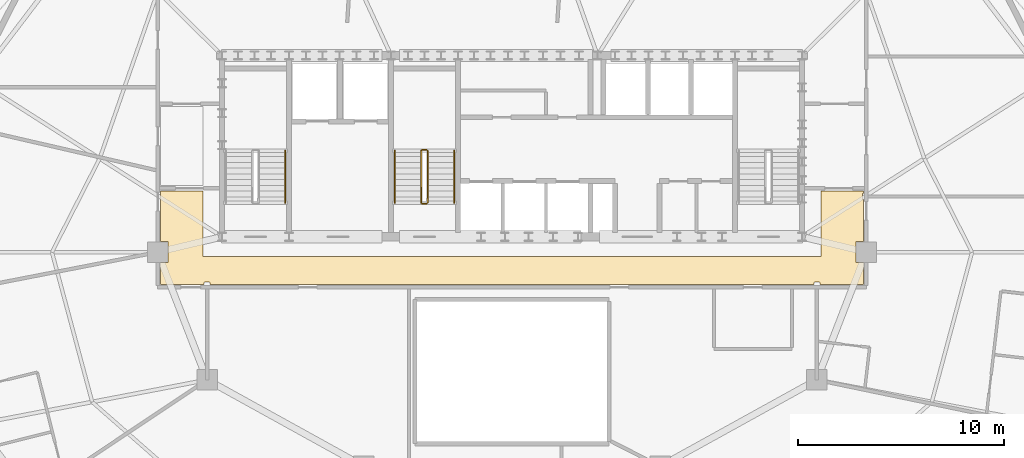
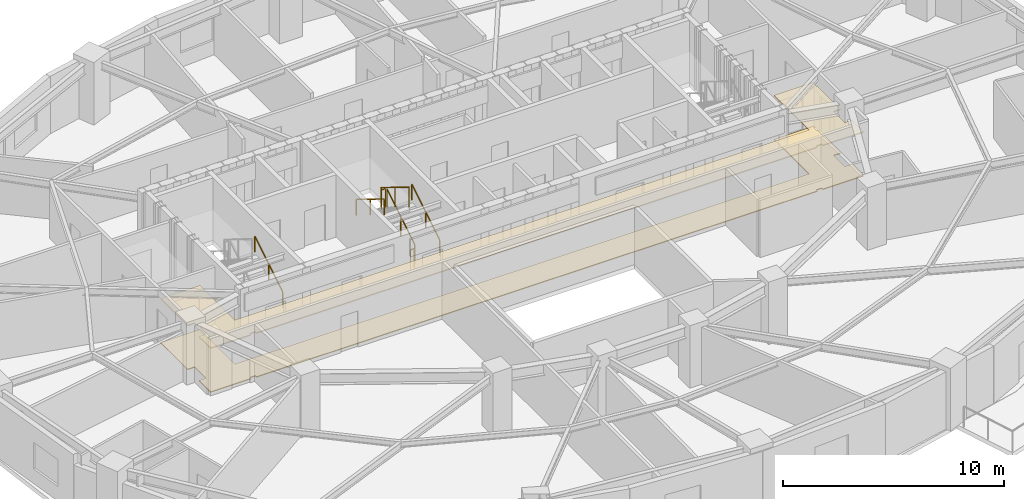
# One storey, part 9 of 10: 7 railings, 2 coverings.
"""IFC4 building model written with IfcOpenShell, lengths in metres."""

from ifc_helpers import new_model, si_unit, direction, frame, origin, origin_2d, place, context, subcontext, project, spatial, polyline, rectangle, outline, extrude, material, layer, layer_set, type_object, element, save


model = new_model("IFC4")

# Units and contexts
model_context = context("Model", 3, precision=1e-05, world=origin(), true_north=direction((0.0, 1.0)))
body_context = subcontext(model_context, "Body", "Model", "MODEL_VIEW")
ifc_project = project(units=[si_unit("LENGTHUNIT", "METRE"), si_unit("AREAUNIT", "SQUARE_METRE"), si_unit("VOLUMEUNIT", "CUBIC_METRE"), si_unit("PLANEANGLEUNIT", "RADIAN"), si_unit("MASSUNIT", "GRAM", prefix="KILO")], contexts=[model_context])

# Site, building, storey
site_placement = place(None, origin())
site = spatial("IfcSite", under=ifc_project, at=site_placement, CompositionType="ELEMENT")
building_placement = place(site_placement, origin())
building = spatial("IfcBuilding", under=site, at=building_placement, Name="Haldorwick Loom Tower", CompositionType="ELEMENT")
storey_placement = place(building_placement, frame((0.0, 0.0, 196.89990234375)))
storey = spatial("IfcBuildingStorey", under=building, at=storey_placement, Name="L53", CompositionType="ELEMENT", Elevation=196.89990234375)

# Coverings
ifc_material_1 = material(Name="Mineral Fibre Acoustic Ceiling Tile")
ifc_layer_1 = layer(ifc_material_1, 0.054931640625, Name="Mineral Fibre Acoustic Ceiling Tile")
ifc_layer_set_1 = layer_set([ifc_layer_1], Name="Mineral Fibre Acoustic Ceiling Tile")
covering_type_1 = type_object("IfcCoveringType", Name="ARC-COV-CEIL2", PredefinedType="CEILING", material=ifc_layer_set_1)
covering_1_placement = place(storey_placement, frame((0.0, 0.0, 2.419189453125)))
element("IfcCovering", 1, at=covering_1_placement, inside=storey, type_object=covering_type_1, Name="L53 Acoustic Suspended Ceiling 1", PredefinedType="CEILING", context=body_context, shape_type="SweptSolid", body=[
    extrude(outline(polyline([(51.0, 28.9599609375), (51.0, 25.800048828125), (21.0, 25.800048828125), (21.0, 28.9599609375), (18.93994140625, 28.9599609375), (18.93994140625, 26.508056640625), (19.30810546875, 26.508056640625), (19.30810546875, 25.491943359375), (18.93994140625, 25.491943359375), (18.93994140625, 24.43994140625), (21.06005859375, 24.43994140625), (21.06005859375, 24.52001953125), (21.06005859375, 24.52197265625), (21.060302734375, 24.52392578125), (21.060791015625, 24.52587890625), (21.0615234375, 24.527587890625), (21.0625, 24.529296875), (21.0634765625, 24.531005859375), (21.064453125, 24.53271484375), (21.06591796875, 24.5341796875), (21.0673828125, 24.535400390625), (21.06884765625, 24.53662109375), (21.070556640625, 24.53759765625), (21.072265625, 24.53857421875), (21.07421875, 24.5390625), (21.076171875, 24.53955078125), (21.077880859375, 24.539794921875), (21.080078125, 24.5400390625), (21.320068359375, 24.5400390625), (21.322021484375, 24.539794921875), (21.323974609375, 24.53955078125), (21.32568359375, 24.5390625), (21.32763671875, 24.53857421875), (21.329345703125, 24.53759765625), (21.3310546875, 24.53662109375), (21.332763671875, 24.535400390625), (21.333984375, 24.5341796875), (21.33544921875, 24.53271484375), (21.336669921875, 24.531005859375), (21.337646484375, 24.529296875), (21.33837890625, 24.527587890625), (21.339111328125, 24.52587890625), (21.339599609375, 24.52392578125), (21.33984375, 24.52197265625), (21.340087890625, 24.52001953125), (21.340087890625, 24.43994140625), (50.659912109375, 24.43994140625), (50.659912109375, 24.52001953125), (50.66015625, 24.52197265625), (50.660400390625, 24.52392578125), (50.660888671875, 24.52587890625), (50.66162109375, 24.527587890625), (50.662353515625, 24.529296875), (50.663330078125, 24.531005859375), (50.66455078125, 24.53271484375), (50.666015625, 24.5341796875), (50.667236328125, 24.535400390625), (50.6689453125, 24.53662109375), (50.670654296875, 24.53759765625), (50.67236328125, 24.53857421875), (50.67431640625, 24.5390625), (50.676025390625, 24.53955078125), (50.677978515625, 24.539794921875), (50.679931640625, 24.5400390625), (50.919921875, 24.5400390625), (50.922119140625, 24.539794921875), (50.923828125, 24.53955078125), (50.92578125, 24.5390625), (50.927734375, 24.53857421875), (50.929443359375, 24.53759765625), (50.93115234375, 24.53662109375), (50.9326171875, 24.535400390625), (50.93408203125, 24.5341796875), (50.935546875, 24.53271484375), (50.9365234375, 24.531005859375), (50.9375, 24.529296875), (50.9384765625, 24.527587890625), (50.939208984375, 24.52587890625), (50.939697265625, 24.52392578125), (50.93994140625, 24.52197265625), (50.93994140625, 24.52001953125), (50.93994140625, 24.43994140625), (53.06005859375, 24.43994140625), (53.06005859375, 25.491943359375), (52.69189453125, 25.491943359375), (52.69189453125, 26.508056640625), (53.06005859375, 26.508056640625), (53.06005859375, 28.56005859375), (53.030029296875, 28.56005859375), (53.028076171875, 28.56005859375), (53.026123046875, 28.560302734375), (53.024169921875, 28.560791015625), (53.022216796875, 28.5615234375), (53.0205078125, 28.5625), (53.018798828125, 28.5634765625), (53.017333984375, 28.564453125), (53.015869140625, 28.56591796875), (53.014404296875, 28.5673828125), (53.013427734375, 28.56884765625), (53.012451171875, 28.570556640625), (53.011474609375, 28.572265625), (53.010986328125, 28.57421875), (53.010498046875, 28.576171875), (53.010009765625, 28.577880859375), (53.010009765625, 28.580078125), (53.010009765625, 28.820068359375), (53.010009765625, 28.822021484375), (53.010498046875, 28.823974609375), (53.010986328125, 28.82568359375), (53.011474609375, 28.82763671875), (53.012451171875, 28.829345703125), (53.013427734375, 28.8310546875), (53.014404296875, 28.832763671875), (53.015869140625, 28.833984375), (53.017333984375, 28.83544921875), (53.018798828125, 28.836669921875), (53.0205078125, 28.837646484375), (53.022216796875, 28.83837890625), (53.024169921875, 28.839111328125), (53.026123046875, 28.839599609375), (53.028076171875, 28.83984375), (53.030029296875, 28.840087890625), (53.06005859375, 28.840087890625), (53.06005859375, 28.9599609375), (51.0, 28.9599609375)])), origin(), (0.0, 0.0, 1.0), 0.054931640625),
])
ifc_material_2 = material(Name="Polished Aggregate Terrazzo Finish")
ifc_layer_2 = layer(ifc_material_2, 0.044921875, Name="Polished Aggregate Terrazzo Finish")
ifc_layer_set_2 = layer_set([ifc_layer_2], Name="Polished Aggregate Terrazzo Finish")
covering_type_2 = type_object("IfcCoveringType", Name="ARC-COV-FLOOR2", PredefinedType="FLOORING", material=ifc_layer_set_2)
covering_2_placement = place(storey_placement, origin())
element("IfcCovering", 2, at=covering_2_placement, inside=storey, type_object=covering_type_2, Name="L53 Floor Finish 1", PredefinedType="FLOORING", context=body_context, shape_type="SweptSolid", body=[
    extrude(outline(polyline([(51.0, 28.9599609375), (51.0, 25.800048828125), (21.0, 25.800048828125), (21.0, 28.9599609375), (18.93994140625, 28.9599609375), (18.93994140625, 26.508056640625), (19.30810546875, 26.508056640625), (19.30810546875, 25.491943359375), (18.93994140625, 25.491943359375), (18.93994140625, 24.43994140625), (21.06005859375, 24.43994140625), (21.06005859375, 24.52001953125), (21.06005859375, 24.52197265625), (21.060302734375, 24.52392578125), (21.060791015625, 24.52587890625), (21.0615234375, 24.527587890625), (21.0625, 24.529296875), (21.0634765625, 24.531005859375), (21.064453125, 24.53271484375), (21.06591796875, 24.5341796875), (21.0673828125, 24.535400390625), (21.06884765625, 24.53662109375), (21.070556640625, 24.53759765625), (21.072265625, 24.53857421875), (21.07421875, 24.5390625), (21.076171875, 24.53955078125), (21.077880859375, 24.539794921875), (21.080078125, 24.5400390625), (21.320068359375, 24.5400390625), (21.322021484375, 24.539794921875), (21.323974609375, 24.53955078125), (21.32568359375, 24.5390625), (21.32763671875, 24.53857421875), (21.329345703125, 24.53759765625), (21.3310546875, 24.53662109375), (21.332763671875, 24.535400390625), (21.333984375, 24.5341796875), (21.33544921875, 24.53271484375), (21.336669921875, 24.531005859375), (21.337646484375, 24.529296875), (21.33837890625, 24.527587890625), (21.339111328125, 24.52587890625), (21.339599609375, 24.52392578125), (21.33984375, 24.52197265625), (21.340087890625, 24.52001953125), (21.340087890625, 24.43994140625), (50.659912109375, 24.43994140625), (50.659912109375, 24.52001953125), (50.66015625, 24.52197265625), (50.660400390625, 24.52392578125), (50.660888671875, 24.52587890625), (50.66162109375, 24.527587890625), (50.662353515625, 24.529296875), (50.663330078125, 24.531005859375), (50.66455078125, 24.53271484375), (50.666015625, 24.5341796875), (50.667236328125, 24.535400390625), (50.6689453125, 24.53662109375), (50.670654296875, 24.53759765625), (50.67236328125, 24.53857421875), (50.67431640625, 24.5390625), (50.676025390625, 24.53955078125), (50.677978515625, 24.539794921875), (50.679931640625, 24.5400390625), (50.919921875, 24.5400390625), (50.922119140625, 24.539794921875), (50.923828125, 24.53955078125), (50.92578125, 24.5390625), (50.927734375, 24.53857421875), (50.929443359375, 24.53759765625), (50.93115234375, 24.53662109375), (50.9326171875, 24.535400390625), (50.93408203125, 24.5341796875), (50.935546875, 24.53271484375), (50.9365234375, 24.531005859375), (50.9375, 24.529296875), (50.9384765625, 24.527587890625), (50.939208984375, 24.52587890625), (50.939697265625, 24.52392578125), (50.93994140625, 24.52197265625), (50.93994140625, 24.52001953125), (50.93994140625, 24.43994140625), (53.06005859375, 24.43994140625), (53.06005859375, 25.491943359375), (52.69189453125, 25.491943359375), (52.69189453125, 26.508056640625), (53.06005859375, 26.508056640625), (53.06005859375, 28.56005859375), (53.030029296875, 28.56005859375), (53.028076171875, 28.56005859375), (53.026123046875, 28.560302734375), (53.024169921875, 28.560791015625), (53.022216796875, 28.5615234375), (53.0205078125, 28.5625), (53.018798828125, 28.5634765625), (53.017333984375, 28.564453125), (53.015869140625, 28.56591796875), (53.014404296875, 28.5673828125), (53.013427734375, 28.56884765625), (53.012451171875, 28.570556640625), (53.011474609375, 28.572265625), (53.010986328125, 28.57421875), (53.010498046875, 28.576171875), (53.010009765625, 28.577880859375), (53.010009765625, 28.580078125), (53.010009765625, 28.820068359375), (53.010009765625, 28.822021484375), (53.010498046875, 28.823974609375), (53.010986328125, 28.82568359375), (53.011474609375, 28.82763671875), (53.012451171875, 28.829345703125), (53.013427734375, 28.8310546875), (53.014404296875, 28.832763671875), (53.015869140625, 28.833984375), (53.017333984375, 28.83544921875), (53.018798828125, 28.836669921875), (53.0205078125, 28.837646484375), (53.022216796875, 28.83837890625), (53.024169921875, 28.839111328125), (53.026123046875, 28.839599609375), (53.028076171875, 28.83984375), (53.030029296875, 28.840087890625), (53.06005859375, 28.840087890625), (53.06005859375, 28.9599609375), (51.0, 28.9599609375)])), origin(), (0.0, 0.0, 1.0), 0.045166015625),
])

# Railings
ifc_material_3 = material(Name="Steel CSA G40.21 350W", Category="steel")
railing_type_1 = type_object("IfcRailingType", Name="ARC-RLG-GUARD112", PredefinedType="GUARDRAIL", material=ifc_material_3)
railing_1_placement = place(storey_placement, frame((31.89990234375, 28.39990234375, 0.172607421875)))
element("IfcRailing", 3, at=railing_1_placement, inside=storey, type_object=railing_type_1, Name="L53 ST-03 stair guard 1", PredefinedType="GUARDRAIL", context=body_context, shape_type="SweptSolid", body=[
    extrude(rectangle(XDim=0.048095703125, YDim=0.048095703125, at=origin_2d()), frame((0.0, 0.0, 1.076171875), z_axis=(0.0, 0.851400495292, 0.524516154772), x_axis=(-1.0, 0.0, 0.0)), (0.0, 0.0, 1.0), 2.9599609375),
    extrude(rectangle(XDim=0.0419921875, YDim=0.0419921875, at=origin_2d()), origin(), (0.0, 0.0, 1.0), 1.052001953125),
    extrude(rectangle(XDim=0.0419921875, YDim=0.0419921875, at=origin_2d()), frame((0.0, 1.260009765625, 0.7763671875)), (0.0, 0.0, 1.0), 1.052001953125),
    extrude(rectangle(XDim=0.0419921875, YDim=0.0419921875, at=origin_2d()), frame((0.0, 2.52001953125, 1.552490234375)), (0.0, 0.0, 1.0), 1.052001953125),
])
railing_2_placement = place(storey_placement, frame((31.85009765625, 30.969970703125, 1.72509765625)))
element("IfcRailing", 4, at=railing_2_placement, inside=storey, type_object=railing_type_1, Name="L53 ST-03 stair guard 2", PredefinedType="GUARDRAIL", context=body_context, shape_type="SweptSolid", body=[
    extrude(rectangle(XDim=0.048095703125, YDim=0.048095703125, at=origin_2d()), frame((0.0, 0.0, 1.076171875), z_axis=(-1.0, 0.0, 0.0), x_axis=(0.0, -1.0, 0.0)), (0.0, 0.0, 1.0), 0.2001953125),
    extrude(rectangle(XDim=0.0419921875, YDim=0.0419921875, at=origin_2d()), origin(), (0.0, 0.0, 1.0), 1.052001953125),
    extrude(rectangle(XDim=0.0419921875, YDim=0.0419921875, at=origin_2d()), frame((-0.2001953125, 0.0, 0.0)), (0.0, 0.0, 1.0), 1.052001953125),
])
railing_3_placement = place(storey_placement, frame((31.60009765625, 30.919921875, 1.897705078125)))
element("IfcRailing", 5, at=railing_3_placement, inside=storey, type_object=railing_type_1, Name="L53 ST-03 stair guard 3", PredefinedType="GUARDRAIL", context=body_context, shape_type="SweptSolid", body=[
    extrude(rectangle(XDim=0.048095703125, YDim=0.048095703125, at=origin_2d()), frame((0.0, 0.0, 1.076171875), z_axis=(0.0, -0.851400495292, 0.524516154772), x_axis=(1.0, 0.0, 0.0)), (0.0, 0.0, 1.0), 2.9599609375),
    extrude(rectangle(XDim=0.0419921875, YDim=0.0419921875, at=origin_2d()), origin(), (0.0, 0.0, 1.0), 1.052001953125),
    extrude(rectangle(XDim=0.0419921875, YDim=0.0419921875, at=origin_2d()), frame((0.0, -1.260009765625, 0.7763671875)), (0.0, 0.0, 1.0), 1.052001953125),
    extrude(rectangle(XDim=0.0419921875, YDim=0.0419921875, at=origin_2d()), frame((0.0, -2.52001953125, 1.552490234375)), (0.0, 0.0, 1.0), 1.052001953125),
])
railing_4_placement = place(storey_placement, frame((31.85009765625, 28.35009765625, 0.0)))
element("IfcRailing", 6, at=railing_4_placement, inside=storey, type_object=railing_type_1, Name="L53 ST-03 stair guard 4", PredefinedType="GUARDRAIL", context=body_context, shape_type="SweptSolid", body=[
    extrude(rectangle(XDim=0.048095703125, YDim=0.048095703125, at=origin_2d()), frame((0.0, 0.0, 1.076171875), z_axis=(-1.0, 0.0, 0.0), x_axis=(0.0, -1.0, 0.0)), (0.0, 0.0, 1.0), 0.2001953125),
    extrude(rectangle(XDim=0.0419921875, YDim=0.0419921875, at=origin_2d()), origin(), (0.0, 0.0, 1.0), 1.052001953125),
    extrude(rectangle(XDim=0.0419921875, YDim=0.0419921875, at=origin_2d()), frame((-0.2001953125, 0.0, 0.0)), (0.0, 0.0, 1.0), 1.052001953125),
])
railing_type_2 = type_object("IfcRailingType", Name="ARC-RLG-HAND092", PredefinedType="HANDRAIL", material=ifc_material_3)
for number, where, name in (
    (7, (25.0, 28.39990234375, 0.172607421875), "L53 ST-01 stair handrail 1"),
    (8, (33.199951171875, 28.39990234375, 0.172607421875), "L53 ST-03 stair handrail 1"),
):
    element("IfcRailing", number, at=place(storey_placement, frame(where)), inside=storey, type_object=railing_type_2, Name=name, PredefinedType="HANDRAIL", context=body_context, shape_type="SweptSolid", body=[
        extrude(rectangle(XDim=0.048095703125, YDim=0.048095703125, at=origin_2d()), frame((0.0, 0.0, 0.8759765625), z_axis=(0.0, 0.851400495292, 0.524516154772), x_axis=(-1.0, 0.0, 0.0)), (0.0, 0.0, 1.0), 2.9599609375),
        extrude(rectangle(XDim=0.0419921875, YDim=0.0419921875, at=origin_2d()), origin(), (0.0, 0.0, 1.0), 0.851806640625),
        extrude(rectangle(XDim=0.0419921875, YDim=0.0419921875, at=origin_2d()), frame((0.0, 1.260009765625, 0.7763671875)), (0.0, 0.0, 1.0), 0.851806640625),
        extrude(rectangle(XDim=0.0419921875, YDim=0.0419921875, at=origin_2d()), frame((0.0, 2.52001953125, 1.552490234375)), (0.0, 0.0, 1.0), 0.851806640625),
    ])
railing_5_placement = place(storey_placement, frame((30.300048828125, 30.919921875, 1.897705078125)))
element("IfcRailing", 9, at=railing_5_placement, inside=storey, type_object=railing_type_2, Name="L53 ST-03 stair handrail 2", PredefinedType="HANDRAIL", context=body_context, shape_type="SweptSolid", body=[
    extrude(rectangle(XDim=0.048095703125, YDim=0.048095703125, at=origin_2d()), frame((0.0, 0.0, 0.8759765625), z_axis=(0.0, -0.851400495292, 0.524516154772), x_axis=(1.0, 0.0, 0.0)), (0.0, 0.0, 1.0), 2.9599609375),
    extrude(rectangle(XDim=0.0419921875, YDim=0.0419921875, at=origin_2d()), origin(), (0.0, 0.0, 1.0), 0.851806640625),
    extrude(rectangle(XDim=0.0419921875, YDim=0.0419921875, at=origin_2d()), frame((0.0, -1.260009765625, 0.7763671875)), (0.0, 0.0, 1.0), 0.851806640625),
    extrude(rectangle(XDim=0.0419921875, YDim=0.0419921875, at=origin_2d()), frame((0.0, -2.52001953125, 1.552490234375)), (0.0, 0.0, 1.0), 0.851806640625),
])

save(model, "model.ifc")
